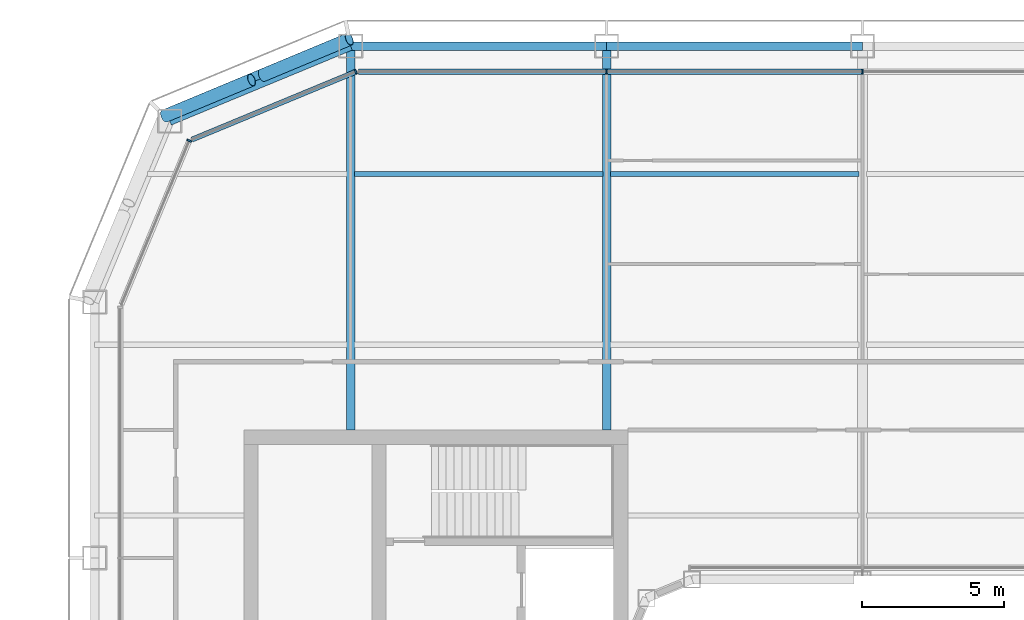
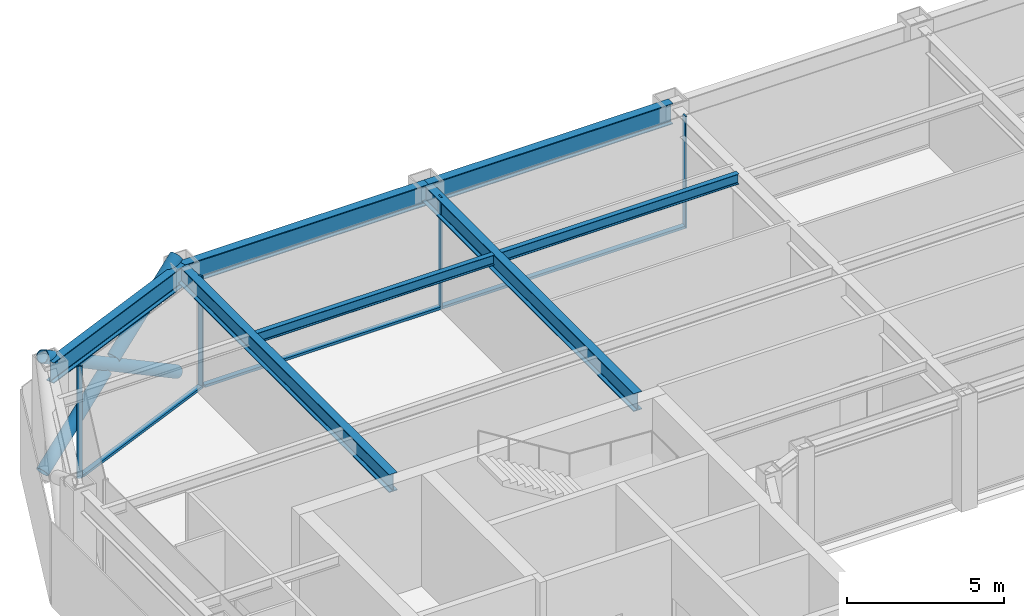
# One storey, part 8 of 24: 10 members, 7 beams, 3 elements without a shape of their own.
"""IFC4 building model written with IfcOpenShell, lengths in metres."""

from ifc_helpers import new_model, si_unit, direction, frame, origin, origin_2d, place, context, subcontext, project, spatial, rectangle, hollow_circle, i_section, extrude, material, layer, layer_set, material_profile, profile_set, type_object, element, aggregate, save


model = new_model("IFC4")

# Units and contexts
model_context = context("Model", 3, precision=1e-05, world=origin(), true_north=direction((0.0, 1.0)))
body_context = subcontext(model_context, "Body", "Model", "MODEL_VIEW")
ifc_project = project(units=[si_unit("LENGTHUNIT", "METRE"), si_unit("AREAUNIT", "SQUARE_METRE"), si_unit("VOLUMEUNIT", "CUBIC_METRE"), si_unit("PLANEANGLEUNIT", "RADIAN"), si_unit("MASSUNIT", "GRAM", prefix="KILO")], contexts=[model_context])

# Site, building, storey
site_placement = place(None, origin())
site = spatial("IfcSite", under=ifc_project, at=site_placement, CompositionType="ELEMENT")
building_placement = place(site_placement, origin())
building = spatial("IfcBuilding", under=site, at=building_placement, Name="Siwar Civic Tower", CompositionType="ELEMENT")
storey_placement = place(building_placement, frame((0.0, 0.0, 215.199951171875)))
storey = spatial("IfcBuildingStorey", under=building, at=storey_placement, Name="L46", CompositionType="ELEMENT", Elevation=215.199951171875)

# Curtain wall, members
ifc_material_1 = material(Name="Aluminium and glass", Category="aluminium")
ifc_layer_1 = layer(ifc_material_1, 0.179931640625)
ifc_layer_set_1 = layer_set([ifc_layer_1], Name="Aluminium and glass")
curtain_wall_type_1 = type_object("IfcCurtainWallType", Name="ENV-CW-C", PredefinedType="NOTDEFINED", material=ifc_layer_set_1)
curtain_wall_1_placement = place(storey_placement, origin())
curtain_wall_1 = element("IfcCurtainWall", 1, at=curtain_wall_1_placement, inside=storey, type_object=curtain_wall_type_1, Name="Curtain wall C N", PredefinedType="NOTDEFINED")
ifc_material_2 = material(Name="Aluminium 6063-T6", Category="aluminium")
ifc_material_profile_1 = material_profile(ifc_material_2, rectangle(XDim=0.179931640625, YDim=0.06005859375, at=origin_2d()), Name="AL 180x60")
ifc_profile_set_1 = profile_set([ifc_material_profile_1], Name="Aluminium 6063-T6")
member_type_1 = type_object("IfcMemberType", Name="ENV-MULLION-C", PredefinedType="MULLION", material=ifc_profile_set_1)
member_1_placement = place(storey_placement, frame((0.0, 26.10009765625, 0.0), z_axis=(0.0, 0.0, 1.0), x_axis=(0.0, -1.0, 0.0)))
member_1 = element("IfcMember", 2, at=member_1_placement, type_object=member_type_1, Name="Mullion C N 3", PredefinedType="MULLION", context=body_context, shape_type="SweptSolid", body=[
    extrude(rectangle(XDim=0.179931640625, YDim=0.06005859375, at=origin_2d()), origin(), (0.0, 0.0, 1.0), 4.35009765625),
])
member_2_placement = place(storey_placement, frame((-9.0, 26.10009765625, 0.0), z_axis=(0.0, 0.0, 1.0), x_axis=(0.0, -1.0, 0.0)))
member_2 = element("IfcMember", 3, at=member_2_placement, type_object=member_type_1, Name="Mullion C N 4", PredefinedType="MULLION", context=body_context, shape_type="SweptSolid", body=[
    extrude(rectangle(XDim=0.179931640625, YDim=0.06005859375, at=origin_2d()), origin(), (0.0, 0.0, 1.0), 4.35009765625),
])

# Curtain wall, member
ifc_material_3 = material(Name="Aluminium clad insulated panel", Category="aluminium")
ifc_layer_2 = layer(ifc_material_3, 0.179931640625)
ifc_layer_set_2 = layer_set([ifc_layer_2], Name="Aluminium clad insulated panel")
curtain_wall_type_2 = type_object("IfcCurtainWallType", Name="ENV-CW-CX", PredefinedType="NOTDEFINED", material=ifc_layer_set_2)
curtain_wall_2_placement = place(storey_placement, origin())
curtain_wall_2 = element("IfcCurtainWall", 4, at=curtain_wall_2_placement, inside=storey, type_object=curtain_wall_type_2, Name="Curtain wall C NW1", PredefinedType="NOTDEFINED")
member_3_placement = place(storey_placement, frame((-17.821044921875, 26.10009765625, 0.0), z_axis=(0.0, 0.0, 1.0), x_axis=(0.382683432365, -0.923879532511, 0.0)))
member_3 = element("IfcMember", 5, at=member_3_placement, type_object=member_type_1, Name="Mullion C NW1 1", PredefinedType="MULLION", context=body_context, shape_type="SweptSolid", body=[
    extrude(rectangle(XDim=0.179931640625, YDim=0.06005859375, at=origin_2d()), origin(), (0.0, 0.0, 1.0), 4.35009765625),
])

curtain_wall_3_placement = place(storey_placement, origin())
curtain_wall_3 = element("IfcCurtainWall", 6, at=curtain_wall_3_placement, inside=storey, type_object=curtain_wall_type_2, Name="Curtain wall C NW2", PredefinedType="NOTDEFINED")
member_4_placement = place(storey_placement, frame((-23.675048828125, 23.675048828125, 0.0), z_axis=(0.0, 0.0, 1.0), x_axis=(0.923879532511, -0.382683432365, 0.0)))
member_4 = element("IfcMember", 7, at=member_4_placement, type_object=member_type_1, Name="Mullion C NW2 1", PredefinedType="MULLION", context=body_context, shape_type="SweptSolid", body=[
    extrude(rectangle(XDim=0.179931640625, YDim=0.06005859375, at=origin_2d()), origin(), (0.0, 0.0, 1.0), 4.35009765625),
])
aggregate(curtain_wall_3, [member_4])

# Member
ifc_material_4 = material(Name="Aluminium 6063-T6", Category="aluminium")
ifc_material_profile_2 = material_profile(ifc_material_4, rectangle(XDim=0.179931640625, YDim=0.10009765625, at=origin_2d()), Name="AL 180x100")
ifc_profile_set_2 = profile_set([ifc_material_profile_2], Name="Aluminium 6063-T6")
member_type_2 = type_object("IfcMemberType", Name="ENV-TRANSOM-C", PredefinedType="USERDEFINED", material=ifc_profile_set_2)
member_5_placement = place(storey_placement, frame((-0.030029296875, 26.10009765625, 0.050048828125), z_axis=(-1.0, 0.0, 0.0), x_axis=(0.0, -1.0, 0.0)))
member_5 = element("IfcMember", 8, at=member_5_placement, type_object=member_type_2, Name="Transom C N 3", ObjectType="TRANSOM", PredefinedType="USERDEFINED", context=body_context, shape_type="SweptSolid", body=[
    extrude(rectangle(XDim=0.179931640625, YDim=0.10009765625, at=origin_2d()), origin(), (0.0, 0.0, 1.0), 8.93994140625),
])

member_6_placement = place(storey_placement, frame((-9.030029296875, 26.10009765625, 0.050048828125), z_axis=(-1.0, 0.0, 0.0), x_axis=(0.0, -1.0, 0.0)))
member_6 = element("IfcMember", 9, at=member_6_placement, type_object=member_type_2, Name="Transom C N 4", ObjectType="TRANSOM", PredefinedType="USERDEFINED", context=body_context, shape_type="SweptSolid", body=[
    extrude(rectangle(XDim=0.179931640625, YDim=0.10009765625, at=origin_2d()), origin(), (0.0, 0.0, 1.0), 8.68603515625),
])

aggregate(curtain_wall_1, [member_1, member_2, member_5, member_6])

member_7_placement = place(storey_placement, frame((-17.8486328125, 26.088623046875, 0.050048828125), z_axis=(-0.923882011223, -0.38267744817, 0.0), x_axis=(0.38267744817, -0.923882011223, 0.0)))
member_7 = element("IfcMember", 10, at=member_7_placement, type_object=member_type_2, Name="Transom C NW1 1", ObjectType="TRANSOM", PredefinedType="USERDEFINED", context=body_context, shape_type="SweptSolid", body=[
    extrude(rectangle(XDim=0.179931640625, YDim=0.10009765625, at=origin_2d()), origin(), (0.0, 0.0, 1.0), 6.201904296875),
])

aggregate(curtain_wall_2, [member_3, member_7])

# Members
ifc_material_5 = material(Name="Steel S355", Category="steel")
ifc_material_profile_3 = material_profile(ifc_material_5, hollow_circle(Radius=0.228515625, WallThickness=0.02001953125, at=origin_2d()), Name="CHS457x20")
ifc_profile_set_3 = profile_set([ifc_material_profile_3], Name="Steel S355")
member_type_3 = type_object("IfcMemberType", Name="STR-BR-CHS457x20", PredefinedType="BRACE", material=ifc_profile_set_3)
member_8_placement = place(storey_placement, frame((-18.048828125, 27.2451171875, 0.0), z_axis=(-0.777554562952, -0.323905527954, 0.538975055633), x_axis=(0.384538969033, -0.923108759191, 0.0)))
element("IfcMember", 11, at=member_8_placement, inside=storey, type_object=member_type_3, Name="L46/brc/CNW1-6-0-0", PredefinedType="BRACE", context=body_context, shape_type="SweptSolid", body=[
    extrude(hollow_circle(Radius=0.228515625, WallThickness=0.02001953125, at=origin_2d()), origin(), (0.0, 0.0, 1.0), 8.34912109375),
])
for number, where, z_axis, x_axis, name in (
    (12, (-24.540771484375, 24.540771484375, 0.0), (0.777546448489, 0.323884455881, 0.538999424564), (-0.38452107079, 0.92311621485, 0.0), "L46/brc/CNW1-6-0-4"),
    (13, (-21.10302734375, 25.972900390625, 2.383056640625), (0.777572496853, 0.323895306243, 0.538955325357), (-0.38452107079, 0.92311621485, 0.0), "L46/brc/CNW1-6-0-5"),
):
    element("IfcMember", number, at=place(storey_placement, frame(where, z_axis=z_axis, x_axis=x_axis)), inside=storey, type_object=member_type_3, Name=name, PredefinedType="BRACE", context=body_context, shape_type="SweptSolid", body=[
        extrude(hollow_circle(Radius=0.228515625, WallThickness=0.02001953125, at=origin_2d()), origin(), (0.0, 0.0, 1.0), 3.927978515625),
    ])

# Beams
ifc_material_6 = material(Name="Steel S355", Category="steel")
ifc_material_profile_4 = material_profile(ifc_material_6, i_section(OverallWidth=0.179931640625, OverallDepth=0.39990234375, WebThickness=0.008544921875, FlangeThickness=0.013427734375, FilletRadius=0.02099609375, at=origin_2d()), Name="IPE400")
ifc_profile_set_4 = profile_set([ifc_material_profile_4], Name="Steel S355")
beam_type_1 = type_object("IfcBeamType", Name="STR-FB-IPE400", PredefinedType="JOIST", material=ifc_profile_set_4)
for number, where, z_axis, x_axis, name in (
    (14, (-17.8701171875, 22.5, 4.150146484375), (1.0, 0.0, 0.0), (0.0, 1.0, 0.0), "L46/bm/F038"),
    (15, (-8.8701171875, 22.5, 4.150146484375), (1.0, 0.0, 0.0), (0.0, 1.0, 0.0), "L46/bm/F039"),
):
    element("IfcBeam", number, at=place(storey_placement, frame(where, z_axis=z_axis, x_axis=x_axis)), inside=storey, type_object=beam_type_1, Name=name, PredefinedType="JOIST", context=body_context, shape_type="SweptSolid", body=[
        extrude(i_section(OverallWidth=0.179931640625, OverallDepth=0.39990234375, WebThickness=0.008544921875, FlangeThickness=0.013427734375, FilletRadius=0.02099609375, at=origin_2d()), origin(), (0.0, 0.0, 1.0), 8.740234375),
    ])
ifc_material_7 = material(Name="Steel S355", Category="steel")
ifc_material_profile_5 = material_profile(ifc_material_7, i_section(OverallWidth=0.300048828125, OverallDepth=0.699951171875, WebThickness=0.01708984375, FlangeThickness=0.031982421875, FilletRadius=0.027099609375, at=origin_2d()), Name="HEB700")
ifc_profile_set_5 = profile_set([ifc_material_profile_5], Name="Steel S355")
beam_type_2 = type_object("IfcBeamType", Name="STR-PG-HEB700", PredefinedType="BEAM", material=ifc_profile_set_5)
for number, where, z_axis, x_axis, name in (
    (16, (-18.0, 13.5, 4.0), (0.0, 1.0, 0.0), (-1.0, 0.0, 0.0), "L46/bm/G02"),
    (17, (-9.0, 13.5, 4.0), (0.0, 1.0, 0.0), (-1.0, 0.0, 0.0), "L46/bm/G04"),
):
    element("IfcBeam", number, at=place(storey_placement, frame(where, z_axis=z_axis, x_axis=x_axis)), inside=storey, type_object=beam_type_2, Name=name, PredefinedType="BEAM", context=body_context, shape_type="SweptSolid", body=[
        extrude(i_section(OverallWidth=0.300048828125, OverallDepth=0.699951171875, WebThickness=0.01708984375, FlangeThickness=0.031982421875, FilletRadius=0.027099609375, at=origin_2d()), origin(), (0.0, 0.0, 1.0), 13.5),
    ])
ifc_material_8 = material(Name="Steel S355", Category="steel")
ifc_material_profile_6 = material_profile(ifc_material_8, i_section(OverallWidth=0.300048828125, OverallDepth=0.800048828125, WebThickness=0.017578125, FlangeThickness=0.032958984375, FilletRadius=0.030029296875, at=origin_2d()), Name="HEB800")
ifc_profile_set_6 = profile_set([ifc_material_profile_6], Name="Steel S355")
beam_type_3 = type_object("IfcBeamType", Name="STR-SB-HEB800", PredefinedType="BEAM", material=ifc_profile_set_6)
for number, where, z_axis, x_axis, name in (
    (18, (0.0, 27.0, 3.949951171875), (-1.0, 0.0, 0.0), (0.0, -1.0, 0.0), "L46/bm/SN-2"),
    (19, (-9.0, 27.0, 3.949951171875), (-1.0, 0.0, 0.0), (0.0, -1.0, 0.0), "L46/bm/SN-3"),
):
    element("IfcBeam", number, at=place(storey_placement, frame(where, z_axis=z_axis, x_axis=x_axis)), inside=storey, type_object=beam_type_3, Name=name, PredefinedType="BEAM", context=body_context, shape_type="SweptSolid", body=[
        extrude(i_section(OverallWidth=0.300048828125, OverallDepth=0.800048828125, WebThickness=0.017578125, FlangeThickness=0.032958984375, FilletRadius=0.030029296875, at=origin_2d()), origin(), (0.0, 0.0, 1.0), 9.0),
    ])
beam_placement = place(storey_placement, frame((-18.0, 27.0, 3.949951171875), z_axis=(-0.923883353507, -0.382674207535, 0.0), x_axis=(0.382674207535, -0.923883353507, 0.0)))
element("IfcBeam", 20, at=beam_placement, inside=storey, type_object=beam_type_3, Name="L46/bm/SNW1-0", PredefinedType="BEAM", context=body_context, shape_type="SweptSolid", body=[
    extrude(i_section(OverallWidth=0.300048828125, OverallDepth=0.800048828125, WebThickness=0.017578125, FlangeThickness=0.032958984375, FilletRadius=0.030029296875, at=origin_2d()), origin(), (0.0, 0.0, 1.0), 6.888427734375),
])

save(model, "model.ifc")
